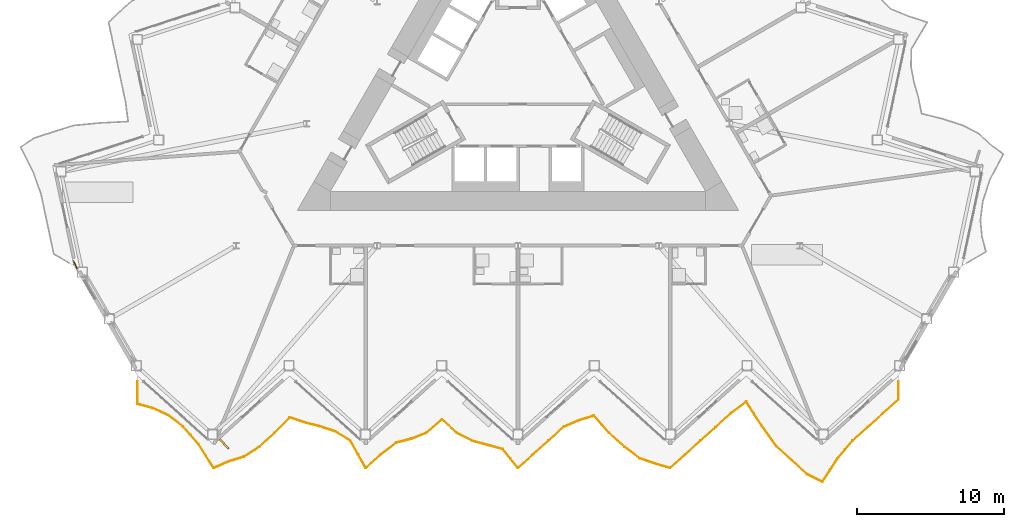
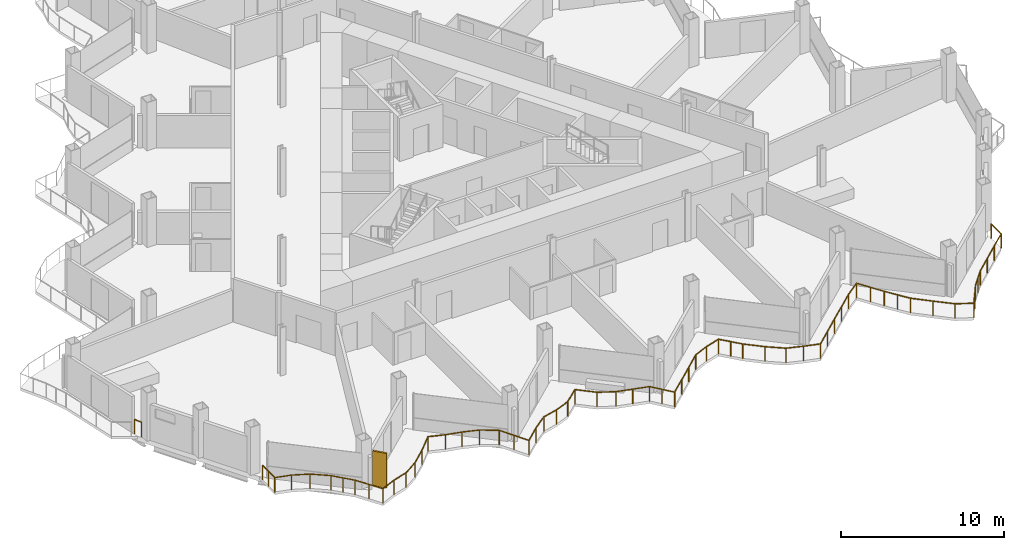
# One storey, part 19 of 24: 2 railings, 1 shading device.
"""IFC4 building model written with IfcOpenShell, lengths in metres."""

from ifc_helpers import new_model, si_unit, direction, frame, origin, origin_2d, place, context, subcontext, project, spatial, rectangle, circle, extrude, material, layer, layer_set, type_object, element, save


model = new_model("IFC4")

# Units and contexts
model_context = context("Model", 3, precision=1e-05, world=origin(), true_north=direction((0.0, 1.0)))
body_context = subcontext(model_context, "Body", "Model", "MODEL_VIEW")
ifc_project = project(units=[si_unit("LENGTHUNIT", "METRE"), si_unit("AREAUNIT", "SQUARE_METRE"), si_unit("VOLUMEUNIT", "CUBIC_METRE"), si_unit("PLANEANGLEUNIT", "RADIAN"), si_unit("MASSUNIT", "GRAM", prefix="KILO")], contexts=[model_context])

# Site, building, storey
site_placement = place(None, origin())
site = spatial("IfcSite", under=ifc_project, at=site_placement, CompositionType="ELEMENT")
building_placement = place(site_placement, origin())
building = spatial("IfcBuilding", under=site, at=building_placement, Name="Cormorant Prow Tower", CompositionType="ELEMENT")
storey_placement = place(building_placement, frame((0.0, 0.0, 234.60009765625)))
storey = spatial("IfcBuildingStorey", under=building, at=storey_placement, Name="L51", CompositionType="ELEMENT", Elevation=234.60009765625)

# Railings
ifc_material_1 = material(Name="Aluminium 6063-T6", Category="aluminium")
railing_type_1 = type_object("IfcRailingType", Name="Balcony guard 1100", PredefinedType="GUARDRAIL", material=ifc_material_1)
railing_1_placement = place(storey_placement, frame((-25.859619140625, -20.302978515625, 0.0)))
element("IfcRailing", 1, at=railing_1_placement, inside=storey, type_object=railing_type_1, Name="Balcony guard S", PredefinedType="GUARDRAIL", context=body_context, shape_type="SweptSolid", body=[
    extrude(circle(Radius=0.02392578125, at=origin_2d()), frame((0.0, 0.0, 1.076171875), z_axis=(0.0, -1.0, 0.0), x_axis=(1.0, 0.0, 0.0)), (0.0, 0.0, 1.0), 1.52001953125),
    extrude(circle(Radius=0.02392578125, at=origin_2d()), frame((0.0, -1.52001953125, 1.076171875), z_axis=(0.964910821846, -0.262577809202, 0.0), x_axis=(0.262577809202, 0.964910821846, 0.0)), (0.0, 0.0, 1.0), 1.072021484375),
    extrude(circle(Radius=0.02392578125, at=origin_2d()), frame((1.034423828125, -1.801513671875, 1.076171875), z_axis=(0.91011619922, -0.414353115009, 0.0), x_axis=(0.414353115009, 0.91011619922, 0.0)), (0.0, 0.0, 1.0), 1.136474609375),
    extrude(circle(Radius=0.02392578125, at=origin_2d()), frame((2.06884765625, -2.2724609375, 1.076171875), z_axis=(0.793096928295, -0.609095445993, 0.0), x_axis=(0.609095445993, 0.793096928295, 0.0)), (0.0, 0.0, 1.0), 1.30419921875),
    extrude(circle(Radius=0.02392578125, at=origin_2d()), frame((3.103271484375, -3.06689453125, 1.076171875), z_axis=(0.666206349445, -0.745767457026, 0.0), x_axis=(0.745767457026, 0.666206349445, 0.0)), (0.0, 0.0, 1.0), 1.552734375),
    extrude(circle(Radius=0.02392578125, at=origin_2d()), frame((4.1376953125, -4.224853515625, 1.076171875), z_axis=(0.530741873353, -0.847533517844, 0.0), x_axis=(0.847533517844, 0.530741873353, 0.0)), (0.0, 0.0, 1.0), 1.948974609375),
    extrude(circle(Radius=0.02392578125, at=origin_2d()), frame((5.172119140625, -5.876708984375, 1.076171875), z_axis=(0.913864919129, 0.406018361143, 0.0), x_axis=(-0.406018361143, 0.913864919129, 0.0)), (0.0, 0.0, 1.0), 1.131591796875),
    extrude(circle(Radius=0.02392578125, at=origin_2d()), frame((6.206298828125, -5.417236328125, 1.076171875), z_axis=(0.957208516531, 0.289399129024, 0.0), x_axis=(-0.289399129024, 0.957208516531, 0.0)), (0.0, 0.0, 1.0), 1.08056640625),
    extrude(circle(Radius=0.02392578125, at=origin_2d()), frame((7.24072265625, -5.1044921875, 1.076171875), z_axis=(0.838628974872, 0.544703077378, 0.0), x_axis=(-0.544703077378, 0.838628974872, 0.0)), (0.0, 0.0, 1.0), 1.2333984375),
    extrude(circle(Radius=0.02392578125, at=origin_2d()), frame((8.275146484375, -4.4326171875, 1.076171875), z_axis=(0.743145866469, 0.669129450219, 0.0), x_axis=(-0.669129450219, 0.743145866469, 0.0)), (0.0, 0.0, 1.0), 1.391845703125),
    extrude(circle(Radius=0.02392578125, at=origin_2d()), frame((9.3095703125, -3.501220703125, 1.076171875), z_axis=(0.69511255396, 0.718900923165, 0.0), x_axis=(-0.718900923165, 0.69511255396, 0.0)), (0.0, 0.0, 1.0), 1.488037109375),
    extrude(circle(Radius=0.02392578125, at=origin_2d()), frame((10.343994140625, -2.431396484375, 1.076171875), z_axis=(0.946129785286, -0.323787630084, 0.0), x_axis=(0.323787630084, 0.946129785286, 0.0)), (0.0, 0.0, 1.0), 1.09326171875),
    extrude(circle(Radius=0.02392578125, at=origin_2d()), frame((11.37841796875, -2.785400390625, 1.076171875), z_axis=(0.970572259799, -0.240810067292, 0.0), x_axis=(0.240810067292, 0.970572259799, 0.0)), (0.0, 0.0, 1.0), 1.0654296875),
    extrude(circle(Radius=0.02392578125, at=origin_2d()), frame((12.41259765625, -3.0419921875, 1.076171875), z_axis=(0.945650142469, -0.325185805423, 0.0), x_axis=(0.325185805423, 0.945650142469, 0.0)), (0.0, 0.0, 1.0), 1.093994140625),
    extrude(circle(Radius=0.02392578125, at=origin_2d()), frame((13.447021484375, -3.397705078125, 1.076171875), z_axis=(0.856706929106, -0.515803487408, 0.0), x_axis=(0.515803487408, 0.856706929106, 0.0)), (0.0, 0.0, 1.0), 1.20751953125),
    extrude(circle(Radius=0.02392578125, at=origin_2d()), frame((14.4814453125, -4.0205078125, 1.076171875), z_axis=(0.486793588896, -0.873517030063, 0.0), x_axis=(0.873517030063, 0.486793588896, 0.0)), (0.0, 0.0, 1.0), 2.125),
    extrude(circle(Radius=0.02392578125, at=origin_2d()), frame((15.515869140625, -5.876708984375, 1.076171875), z_axis=(0.743145866469, 0.669129450219, 0.0), x_axis=(-0.669129450219, 0.743145866469, 0.0)), (0.0, 0.0, 1.0), 1.391845703125),
    extrude(circle(Radius=0.02392578125, at=origin_2d()), frame((16.55029296875, -4.9453125, 1.076171875), z_axis=(0.792283248818, 0.610153467287, 0.0), x_axis=(-0.610153467287, 0.792283248818, 0.0)), (0.0, 0.0, 1.0), 1.3056640625),
    extrude(circle(Radius=0.02392578125, at=origin_2d()), frame((17.584716796875, -4.148681640625, 1.076171875), z_axis=(0.969111093781, 0.246624589022, 0.0), x_axis=(-0.246624589022, 0.969111093781, 0.0)), (0.0, 0.0, 1.0), 1.067138671875),
    extrude(circle(Radius=0.02392578125, at=origin_2d()), frame((18.618896484375, -3.885498046875, 1.076171875), z_axis=(0.929667322101, 0.368400149589, 0.0), x_axis=(-0.368400149589, 0.929667322101, 0.0)), (0.0, 0.0, 1.0), 1.11279296875),
    extrude(circle(Radius=0.02392578125, at=origin_2d()), frame((19.6533203125, -3.4755859375, 1.076171875), z_axis=(0.752345655923, 0.658768558762, 0.0), x_axis=(-0.658768558762, 0.752345655923, 0.0)), (0.0, 0.0, 1.0), 1.375),
    extrude(circle(Radius=0.02392578125, at=origin_2d()), frame((20.687744140625, -2.56982421875, 1.076171875), z_axis=(0.743145866469, -0.669129450219, 0.0), x_axis=(0.669129450219, 0.743145866469, 0.0)), (0.0, 0.0, 1.0), 1.391845703125),
    extrude(circle(Radius=0.02392578125, at=origin_2d()), frame((21.72216796875, -3.501220703125, 1.076171875), z_axis=(0.891589656933, -0.452844215653, 0.0), x_axis=(0.452844215653, 0.891589656933, 0.0)), (0.0, 0.0, 1.0), 1.16015625),
    extrude(circle(Radius=0.02392578125, at=origin_2d()), frame((22.756591796875, -4.026611328125, 1.076171875), z_axis=(0.965068108783, -0.26199913246, 0.0), x_axis=(0.26199913246, 0.965068108783, 0.0)), (0.0, 0.0, 1.0), 1.071533203125),
    extrude(circle(Radius=0.02392578125, at=origin_2d()), frame((23.790771484375, -4.307373046875, 1.076171875), z_axis=(0.964679705574, -0.26342563591, 0.0), x_axis=(0.26342563591, 0.964679705574, 0.0)), (0.0, 0.0, 1.0), 1.072265625),
    extrude(circle(Radius=0.02392578125, at=origin_2d()), frame((24.8251953125, -4.58984375, 1.076171875), z_axis=(0.62651464331, -0.77940964949, 0.0), x_axis=(0.77940964949, 0.62651464331, 0.0)), (0.0, 0.0, 1.0), 1.651123046875),
    extrude(circle(Radius=0.02392578125, at=origin_2d()), frame((25.859619140625, -5.876708984375, 1.076171875), z_axis=(0.743145866469, 0.669129450219, 0.0), x_axis=(-0.669129450219, 0.743145866469, 0.0)), (0.0, 0.0, 1.0), 1.391845703125),
    extrude(circle(Radius=0.02392578125, at=origin_2d()), frame((26.89404296875, -4.9453125, 1.076171875), z_axis=(0.743145866469, 0.669129450219, 0.0), x_axis=(-0.669129450219, 0.743145866469, 0.0)), (0.0, 0.0, 1.0), 1.391845703125),
    extrude(circle(Radius=0.02392578125, at=origin_2d()), frame((27.928466796875, -4.013916015625, 1.076171875), z_axis=(0.743067321059, 0.669216673712, 0.0), x_axis=(-0.669216673712, 0.743067321059, 0.0)), (0.0, 0.0, 1.0), 1.391845703125),
    extrude(circle(Radius=0.02392578125, at=origin_2d()), frame((28.962646484375, -3.08251953125, 1.076171875), z_axis=(0.916132520789, 0.400875547213, 0.0), x_axis=(-0.400875547213, 0.916132520789, 0.0)), (0.0, 0.0, 1.0), 1.129150390625),
    extrude(circle(Radius=0.02392578125, at=origin_2d()), frame((29.9970703125, -2.6298828125, 1.076171875), z_axis=(0.956769545304, 0.29084710275, 0.0), x_axis=(-0.29084710275, 0.956769545304, 0.0)), (0.0, 0.0, 1.0), 1.0810546875),
    extrude(circle(Radius=0.02392578125, at=origin_2d()), frame((31.031494140625, -2.3154296875, 1.076171875), z_axis=(0.657372501119, -0.753565786626, 0.0), x_axis=(0.753565786626, 0.657372501119, 0.0)), (0.0, 0.0, 1.0), 1.573486328125),
    extrude(circle(Radius=0.02392578125, at=origin_2d()), frame((32.06591796875, -3.501220703125, 1.076171875), z_axis=(0.743145866469, -0.669129450219, 0.0), x_axis=(0.669129450219, 0.743145866469, 0.0)), (0.0, 0.0, 1.0), 1.391845703125),
    extrude(circle(Radius=0.02392578125, at=origin_2d()), frame((33.100341796875, -4.4326171875, 1.076171875), z_axis=(0.795289474935, -0.606229866517, 0.0), x_axis=(0.606229866517, 0.795289474935, 0.0)), (0.0, 0.0, 1.0), 1.30029296875),
    extrude(circle(Radius=0.02392578125, at=origin_2d()), frame((34.134521484375, -5.220947265625, 1.076171875), z_axis=(0.94667600763, -0.322187114232, 0.0), x_axis=(0.322187114232, 0.94667600763, 0.0)), (0.0, 0.0, 1.0), 1.0927734375),
    extrude(circle(Radius=0.02392578125, at=origin_2d()), frame((35.1689453125, -5.572998046875, 1.076171875), z_axis=(0.959498816509, -0.281712657007, 0.0), x_axis=(0.281712657007, 0.959498816509, 0.0)), (0.0, 0.0, 1.0), 1.078125),
    extrude(circle(Radius=0.02392578125, at=origin_2d()), frame((36.203369140625, -5.876708984375, 1.076171875), z_axis=(0.743145866469, 0.669129450219, 0.0), x_axis=(-0.669129450219, 0.743145866469, 0.0)), (0.0, 0.0, 1.0), 1.391845703125),
    extrude(circle(Radius=0.02392578125, at=origin_2d()), frame((37.23779296875, -4.9453125, 1.076171875), z_axis=(0.743145866469, 0.669129450219, 0.0), x_axis=(-0.669129450219, 0.743145866469, 0.0)), (0.0, 0.0, 1.0), 1.391845703125),
    extrude(circle(Radius=0.02392578125, at=origin_2d()), frame((38.272216796875, -4.013916015625, 1.076171875), z_axis=(0.743145866469, 0.669129450219, 0.0), x_axis=(-0.669129450219, 0.743145866469, 0.0)), (0.0, 0.0, 1.0), 1.391845703125),
    extrude(circle(Radius=0.02392578125, at=origin_2d()), frame((39.306640625, -3.08251953125, 1.076171875), z_axis=(0.743067321059, 0.669216673712, 0.0), x_axis=(-0.669216673712, 0.743067321059, 0.0)), (0.0, 0.0, 1.0), 1.391845703125),
    extrude(circle(Radius=0.02392578125, at=origin_2d()), frame((40.3408203125, -2.151123046875, 1.076171875), z_axis=(0.794815521571, 0.606851123975, 0.0), x_axis=(-0.606851123975, 0.794815521571, 0.0)), (0.0, 0.0, 1.0), 1.301513671875),
    extrude(circle(Radius=0.02392578125, at=origin_2d()), frame((41.375244140625, -1.361328125, 1.076171875), z_axis=(0.54319811953, -0.839604551523, 0.0), x_axis=(0.839604551523, 0.54319811953, 0.0)), (0.0, 0.0, 1.0), 1.904296875),
    extrude(circle(Radius=0.02392578125, at=origin_2d()), frame((42.40966796875, -2.960205078125, 1.076171875), z_axis=(0.580576946583, -0.814205385082, 0.0), x_axis=(0.814205385082, 0.580576946583, 0.0)), (0.0, 0.0, 1.0), 1.78173828125),
    extrude(circle(Radius=0.02392578125, at=origin_2d()), frame((43.444091796875, -4.410888671875, 1.076171875), z_axis=(0.735415353267, -0.677616601169, 0.0), x_axis=(0.677616601169, 0.735415353267, 0.0)), (0.0, 0.0, 1.0), 1.406494140625),
    extrude(circle(Radius=0.02392578125, at=origin_2d()), frame((44.478515625, -5.364013671875, 1.076171875), z_axis=(0.743145866469, -0.669129450219, 0.0), x_axis=(0.669129450219, 0.743145866469, 0.0)), (0.0, 0.0, 1.0), 1.391845703125),
    extrude(circle(Radius=0.02392578125, at=origin_2d()), frame((45.512939453125, -6.29541015625, 1.076171875), z_axis=(0.893581801195, -0.448900394935, 0.0), x_axis=(0.448900394935, 0.893581801195, 0.0)), (0.0, 0.0, 1.0), 1.1572265625),
    extrude(circle(Radius=0.02392578125, at=origin_2d()), frame((46.547119140625, -6.81494140625, 1.076171875), z_axis=(0.547019762146, 0.837119692649, 0.0), x_axis=(-0.837119692649, 0.547019762146, 0.0)), (0.0, 0.0, 1.0), 1.89111328125),
    extrude(circle(Radius=0.02392578125, at=origin_2d()), frame((47.58154296875, -5.23193359375, 1.076171875), z_axis=(0.647324620939, 0.762214428574, 0.0), x_axis=(-0.762214428574, 0.647324620939, 0.0)), (0.0, 0.0, 1.0), 1.597900390625),
    extrude(circle(Radius=0.02392578125, at=origin_2d()), frame((48.615966796875, -4.013916015625, 1.076171875), z_axis=(0.743145866469, 0.669129450219, 0.0), x_axis=(-0.669129450219, 0.743145866469, 0.0)), (0.0, 0.0, 1.0), 1.391845703125),
    extrude(circle(Radius=0.02392578125, at=origin_2d()), frame((49.650390625, -3.08251953125, 1.076171875), z_axis=(0.743145866469, 0.669129450219, 0.0), x_axis=(-0.669129450219, 0.743145866469, 0.0)), (0.0, 0.0, 1.0), 1.391845703125),
    extrude(circle(Radius=0.02392578125, at=origin_2d()), frame((50.684814453125, -2.151123046875, 1.076171875), z_axis=(0.743233087124, 0.669032568867, 0.0), x_axis=(-0.669032568867, 0.743233087124, 0.0)), (0.0, 0.0, 1.0), 1.391845703125),
    extrude(circle(Radius=0.02392578125, at=origin_2d()), frame((51.71923828125, -1.219970703125, 1.076171875), z_axis=(0.0, 1.0, 0.0), x_axis=(-1.0, 0.0, 0.0)), (0.0, 0.0, 1.0), 1.219970703125),
    extrude(circle(Radius=0.02099609375, at=origin_2d()), origin(), (0.0, 0.0, 1.0), 1.052001953125),
    extrude(circle(Radius=0.02099609375, at=origin_2d()), frame((0.0, -0.760009765625, 0.0)), (0.0, 0.0, 1.0), 1.052001953125),
    extrude(circle(Radius=0.02099609375, at=origin_2d()), frame((0.0, -1.52001953125, 0.0)), (0.0, 0.0, 1.0), 1.052001953125),
    extrude(circle(Radius=0.02099609375, at=origin_2d()), frame((1.034423828125, -1.801513671875, 0.0)), (0.0, 0.0, 1.0), 1.052001953125),
    extrude(circle(Radius=0.02099609375, at=origin_2d()), frame((2.06884765625, -2.2724609375, 0.0)), (0.0, 0.0, 1.0), 1.052001953125),
    extrude(circle(Radius=0.02099609375, at=origin_2d()), frame((3.103271484375, -3.06689453125, 0.0)), (0.0, 0.0, 1.0), 1.052001953125),
    extrude(circle(Radius=0.02099609375, at=origin_2d()), frame((3.62060546875, -3.64599609375, 0.0)), (0.0, 0.0, 1.0), 1.052001953125),
    extrude(circle(Radius=0.02099609375, at=origin_2d()), frame((4.1376953125, -4.224853515625, 0.0)), (0.0, 0.0, 1.0), 1.052001953125),
    extrude(circle(Radius=0.02099609375, at=origin_2d()), frame((4.65478515625, -5.05078125, 0.0)), (0.0, 0.0, 1.0), 1.052001953125),
    extrude(circle(Radius=0.02099609375, at=origin_2d()), frame((5.172119140625, -5.876708984375, 0.0)), (0.0, 0.0, 1.0), 1.052001953125),
    extrude(circle(Radius=0.02099609375, at=origin_2d()), frame((6.206298828125, -5.417236328125, 0.0)), (0.0, 0.0, 1.0), 1.052001953125),
    extrude(circle(Radius=0.02099609375, at=origin_2d()), frame((7.24072265625, -5.1044921875, 0.0)), (0.0, 0.0, 1.0), 1.052001953125),
    extrude(circle(Radius=0.02099609375, at=origin_2d()), frame((8.275146484375, -4.4326171875, 0.0)), (0.0, 0.0, 1.0), 1.052001953125),
    extrude(circle(Radius=0.02099609375, at=origin_2d()), frame((9.3095703125, -3.501220703125, 0.0)), (0.0, 0.0, 1.0), 1.052001953125),
    extrude(circle(Radius=0.02099609375, at=origin_2d()), frame((10.343994140625, -2.431396484375, 0.0)), (0.0, 0.0, 1.0), 1.052001953125),
    extrude(circle(Radius=0.02099609375, at=origin_2d()), frame((11.37841796875, -2.785400390625, 0.0)), (0.0, 0.0, 1.0), 1.052001953125),
    extrude(circle(Radius=0.02099609375, at=origin_2d()), frame((12.41259765625, -3.0419921875, 0.0)), (0.0, 0.0, 1.0), 1.052001953125),
    extrude(circle(Radius=0.02099609375, at=origin_2d()), frame((13.447021484375, -3.397705078125, 0.0)), (0.0, 0.0, 1.0), 1.052001953125),
    extrude(circle(Radius=0.02099609375, at=origin_2d()), frame((14.4814453125, -4.0205078125, 0.0)), (0.0, 0.0, 1.0), 1.052001953125),
    extrude(circle(Radius=0.02099609375, at=origin_2d()), frame((14.99853515625, -4.94873046875, 0.0)), (0.0, 0.0, 1.0), 1.052001953125),
    extrude(circle(Radius=0.02099609375, at=origin_2d()), frame((15.515869140625, -5.876708984375, 0.0)), (0.0, 0.0, 1.0), 1.052001953125),
    extrude(circle(Radius=0.02099609375, at=origin_2d()), frame((16.55029296875, -4.9453125, 0.0)), (0.0, 0.0, 1.0), 1.052001953125),
    extrude(circle(Radius=0.02099609375, at=origin_2d()), frame((17.584716796875, -4.148681640625, 0.0)), (0.0, 0.0, 1.0), 1.052001953125),
    extrude(circle(Radius=0.02099609375, at=origin_2d()), frame((18.618896484375, -3.885498046875, 0.0)), (0.0, 0.0, 1.0), 1.052001953125),
    extrude(circle(Radius=0.02099609375, at=origin_2d()), frame((19.6533203125, -3.4755859375, 0.0)), (0.0, 0.0, 1.0), 1.052001953125),
    extrude(circle(Radius=0.02099609375, at=origin_2d()), frame((20.687744140625, -2.56982421875, 0.0)), (0.0, 0.0, 1.0), 1.052001953125),
    extrude(circle(Radius=0.02099609375, at=origin_2d()), frame((21.72216796875, -3.501220703125, 0.0)), (0.0, 0.0, 1.0), 1.052001953125),
    extrude(circle(Radius=0.02099609375, at=origin_2d()), frame((22.756591796875, -4.026611328125, 0.0)), (0.0, 0.0, 1.0), 1.052001953125),
    extrude(circle(Radius=0.02099609375, at=origin_2d()), frame((23.790771484375, -4.307373046875, 0.0)), (0.0, 0.0, 1.0), 1.052001953125),
    extrude(circle(Radius=0.02099609375, at=origin_2d()), frame((24.8251953125, -4.58984375, 0.0)), (0.0, 0.0, 1.0), 1.052001953125),
    extrude(circle(Radius=0.02099609375, at=origin_2d()), frame((25.34228515625, -5.2333984375, 0.0)), (0.0, 0.0, 1.0), 1.052001953125),
    extrude(circle(Radius=0.02099609375, at=origin_2d()), frame((25.859619140625, -5.876708984375, 0.0)), (0.0, 0.0, 1.0), 1.052001953125),
    extrude(circle(Radius=0.02099609375, at=origin_2d()), frame((26.89404296875, -4.9453125, 0.0)), (0.0, 0.0, 1.0), 1.052001953125),
    extrude(circle(Radius=0.02099609375, at=origin_2d()), frame((27.928466796875, -4.013916015625, 0.0)), (0.0, 0.0, 1.0), 1.052001953125),
    extrude(circle(Radius=0.02099609375, at=origin_2d()), frame((28.962646484375, -3.08251953125, 0.0)), (0.0, 0.0, 1.0), 1.052001953125),
    extrude(circle(Radius=0.02099609375, at=origin_2d()), frame((29.9970703125, -2.6298828125, 0.0)), (0.0, 0.0, 1.0), 1.052001953125),
    extrude(circle(Radius=0.02099609375, at=origin_2d()), frame((31.031494140625, -2.3154296875, 0.0)), (0.0, 0.0, 1.0), 1.052001953125),
    extrude(circle(Radius=0.02099609375, at=origin_2d()), frame((31.548828125, -2.908203125, 0.0)), (0.0, 0.0, 1.0), 1.052001953125),
    extrude(circle(Radius=0.02099609375, at=origin_2d()), frame((32.06591796875, -3.501220703125, 0.0)), (0.0, 0.0, 1.0), 1.052001953125),
    extrude(circle(Radius=0.02099609375, at=origin_2d()), frame((33.100341796875, -4.4326171875, 0.0)), (0.0, 0.0, 1.0), 1.052001953125),
    extrude(circle(Radius=0.02099609375, at=origin_2d()), frame((34.134521484375, -5.220947265625, 0.0)), (0.0, 0.0, 1.0), 1.052001953125),
    extrude(circle(Radius=0.02099609375, at=origin_2d()), frame((35.1689453125, -5.572998046875, 0.0)), (0.0, 0.0, 1.0), 1.052001953125),
    extrude(circle(Radius=0.02099609375, at=origin_2d()), frame((36.203369140625, -5.876708984375, 0.0)), (0.0, 0.0, 1.0), 1.052001953125),
    extrude(circle(Radius=0.02099609375, at=origin_2d()), frame((37.23779296875, -4.9453125, 0.0)), (0.0, 0.0, 1.0), 1.052001953125),
    extrude(circle(Radius=0.02099609375, at=origin_2d()), frame((38.272216796875, -4.013916015625, 0.0)), (0.0, 0.0, 1.0), 1.052001953125),
    extrude(circle(Radius=0.02099609375, at=origin_2d()), frame((39.306640625, -3.08251953125, 0.0)), (0.0, 0.0, 1.0), 1.052001953125),
    extrude(circle(Radius=0.02099609375, at=origin_2d()), frame((40.3408203125, -2.151123046875, 0.0)), (0.0, 0.0, 1.0), 1.052001953125),
    extrude(circle(Radius=0.02099609375, at=origin_2d()), frame((41.375244140625, -1.361328125, 0.0)), (0.0, 0.0, 1.0), 1.052001953125),
    extrude(circle(Radius=0.02099609375, at=origin_2d()), frame((41.892578125, -2.16064453125, 0.0)), (0.0, 0.0, 1.0), 1.052001953125),
    extrude(circle(Radius=0.02099609375, at=origin_2d()), frame((42.40966796875, -2.960205078125, 0.0)), (0.0, 0.0, 1.0), 1.052001953125),
    extrude(circle(Radius=0.02099609375, at=origin_2d()), frame((42.9267578125, -3.685546875, 0.0)), (0.0, 0.0, 1.0), 1.052001953125),
    extrude(circle(Radius=0.02099609375, at=origin_2d()), frame((43.444091796875, -4.410888671875, 0.0)), (0.0, 0.0, 1.0), 1.052001953125),
    extrude(circle(Radius=0.02099609375, at=origin_2d()), frame((44.478515625, -5.364013671875, 0.0)), (0.0, 0.0, 1.0), 1.052001953125),
    extrude(circle(Radius=0.02099609375, at=origin_2d()), frame((45.512939453125, -6.29541015625, 0.0)), (0.0, 0.0, 1.0), 1.052001953125),
    extrude(circle(Radius=0.02099609375, at=origin_2d()), frame((46.547119140625, -6.81494140625, 0.0)), (0.0, 0.0, 1.0), 1.052001953125),
    extrude(circle(Radius=0.02099609375, at=origin_2d()), frame((47.064453125, -6.0234375, 0.0)), (0.0, 0.0, 1.0), 1.052001953125),
    extrude(circle(Radius=0.02099609375, at=origin_2d()), frame((47.58154296875, -5.23193359375, 0.0)), (0.0, 0.0, 1.0), 1.052001953125),
    extrude(circle(Radius=0.02099609375, at=origin_2d()), frame((48.0986328125, -4.623046875, 0.0)), (0.0, 0.0, 1.0), 1.052001953125),
    extrude(circle(Radius=0.02099609375, at=origin_2d()), frame((48.615966796875, -4.013916015625, 0.0)), (0.0, 0.0, 1.0), 1.052001953125),
    extrude(circle(Radius=0.02099609375, at=origin_2d()), frame((49.650390625, -3.08251953125, 0.0)), (0.0, 0.0, 1.0), 1.052001953125),
    extrude(circle(Radius=0.02099609375, at=origin_2d()), frame((50.684814453125, -2.151123046875, 0.0)), (0.0, 0.0, 1.0), 1.052001953125),
    extrude(circle(Radius=0.02099609375, at=origin_2d()), frame((51.71923828125, -1.219970703125, 0.0)), (0.0, 0.0, 1.0), 1.052001953125),
    extrude(circle(Radius=0.02099609375, at=origin_2d()), frame((51.71923828125, 0.0, 0.0)), (0.0, 0.0, 1.0), 1.052001953125),
])
ifc_material_2 = material(Name="Stainless steel", Category="steel")
railing_type_2 = type_object("IfcRailingType", Name="Facade corner guard 1100", PredefinedType="GUARDRAIL", material=ifc_material_2)
railing_2_placement = place(storey_placement, frame((-29.981689453125, -12.599609375, 0.0)))
element("IfcRailing", 2, at=railing_2_placement, inside=storey, type_object=railing_type_2, Name="Facade corner guard L51 1", PredefinedType="GUARDRAIL", context=body_context, shape_type="SweptSolid", body=[
    extrude(circle(Radius=0.02392578125, at=origin_2d()), frame((0.0, 0.0, 1.076171875), z_axis=(-0.413009334516, 0.910726791965, 0.0), x_axis=(-0.910726791965, -0.413009334516, 0.0)), (0.0, 0.0, 1.0), 0.533203125),
    extrude(circle(Radius=0.02099609375, at=origin_2d()), origin(), (0.0, 0.0, 1.0), 1.052001953125),
    extrude(circle(Radius=0.02099609375, at=origin_2d()), frame((-0.22021484375, 0.485595703125, 0.0)), (0.0, 0.0, 1.0), 1.052001953125),
])

# Shading device
ifc_material_3 = material(Name="Terracotta", Category="masonry")
ifc_layer = layer(ifc_material_3, 0.1201171875)
ifc_layer_set = layer_set([ifc_layer], Name="Terracotta")
shading_device_type = type_object("IfcShadingDeviceType", Name="Terracotta baguette fin 120x900x2600", PredefinedType="USERDEFINED", material=ifc_layer_set)
shading_device_placement = place(storey_placement, frame((-19.969482421875, -24.53857421875, -0.000244140625), z_axis=(0.0, 0.0, 1.0), x_axis=(0.74314485959, 0.669130568473, 0.0)))
element("IfcShadingDevice", 3, at=shading_device_placement, inside=storey, type_object=shading_device_type, Name="Baguette fin S01", ObjectType="BAGUETTE", PredefinedType="USERDEFINED", context=body_context, shape_type="SweptSolid", body=[
    extrude(rectangle(XDim=0.1201171875, YDim=0.89990234375, at=origin_2d()), origin(), (0.0, 0.0, 1.0), 2.60009765625),
])

save(model, "model.ifc")
